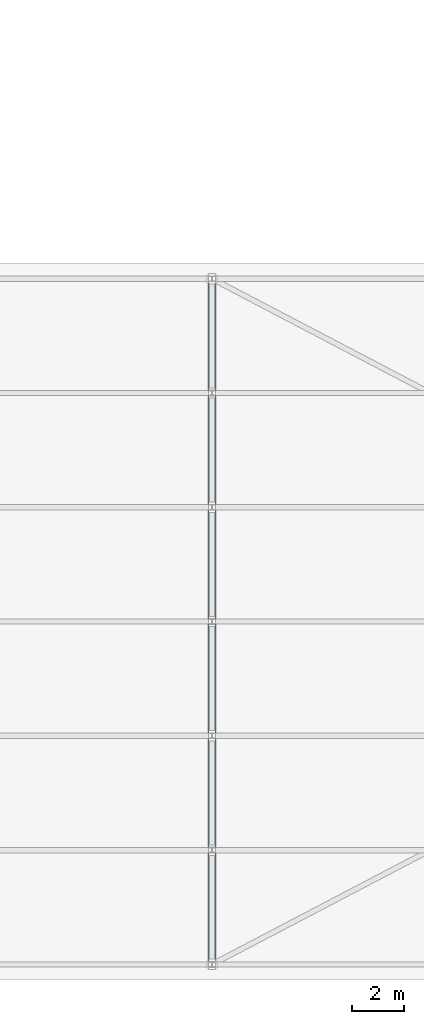
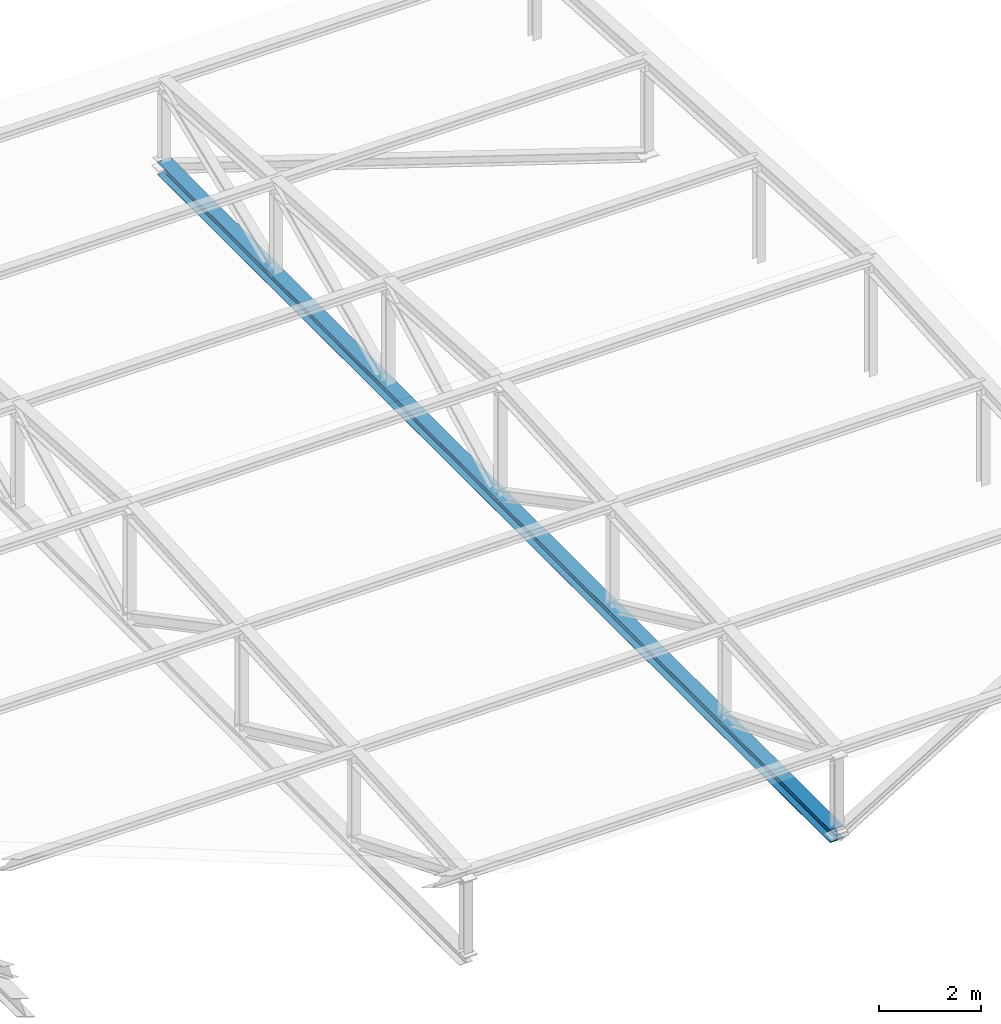
# One storey, part 17 of 49: 1 member.
"""IFC4 building model written with IfcOpenShell, lengths in metres."""

from ifc_helpers import new_model, si_unit, direction, frame, origin, origin_2d, place, context, subcontext, project, spatial, i_section, extrude, material, material_profile, profile_set, type_object, element, save


model = new_model("IFC4")

# Units and contexts
model_context = context("Model", 3, precision=1e-05, world=origin(), true_north=direction((0.0, 1.0)))
body_context = subcontext(model_context, "Body", "Model", "MODEL_VIEW")
ifc_project = project(units=[si_unit("LENGTHUNIT", "METRE"), si_unit("AREAUNIT", "SQUARE_METRE"), si_unit("VOLUMEUNIT", "CUBIC_METRE"), si_unit("PLANEANGLEUNIT", "RADIAN"), si_unit("MASSUNIT", "GRAM", prefix="KILO")], contexts=[model_context])

# Site, building, storey
site_placement = place(None, origin())
site = spatial("IfcSite", under=ifc_project, at=site_placement, CompositionType="ELEMENT")
building_placement = place(site_placement, origin())
building = spatial("IfcBuilding", under=site, at=building_placement, Name="Kemercrest Conservatory and Botanical Centre", CompositionType="ELEMENT")
storey_placement = place(building_placement, frame((0.0, 0.0, 13.199951171875)))
storey = spatial("IfcBuildingStorey", under=building, at=storey_placement, Name="L03", CompositionType="ELEMENT", Elevation=13.199951171875)

# Member
ifc_material = material(Name="Steel CSA G40.21 350W", Category="steel")
ifc_material_profile = material_profile(ifc_material, i_section(OverallWidth=0.304931640625, OverallDepth=0.30810546875, WebThickness=0.010009765625, FlangeThickness=0.015380859375, FilletRadius=0.014892578125, at=origin_2d()), Name="W310X97")
ifc_profile_set = profile_set([ifc_material_profile], Name="Steel CSA G40.21 350W")
member_type = type_object("IfcMemberType", Name="TR-BC310", PredefinedType="CHORD", material=ifc_profile_set)
member_placement = place(storey_placement, frame((92.0, 16.800048828125, -0.14990234375), z_axis=(0.0, 1.0, 0.0), x_axis=(-1.0, 0.0, 0.0)))
element("IfcMember", 1, at=member_placement, inside=storey, type_object=member_type, Name="Auditorium Roof Truss Bottom Chord 11", PredefinedType="CHORD", context=body_context, shape_type="SweptSolid", body=[
    extrude(i_section(OverallWidth=0.304931640625, OverallDepth=0.30810546875, WebThickness=0.010009765625, FlangeThickness=0.015380859375, FilletRadius=0.014892578125, at=origin_2d()), origin(), (0.0, 0.0, 1.0), 26.39990234375),
])

save(model, "model.ifc")
